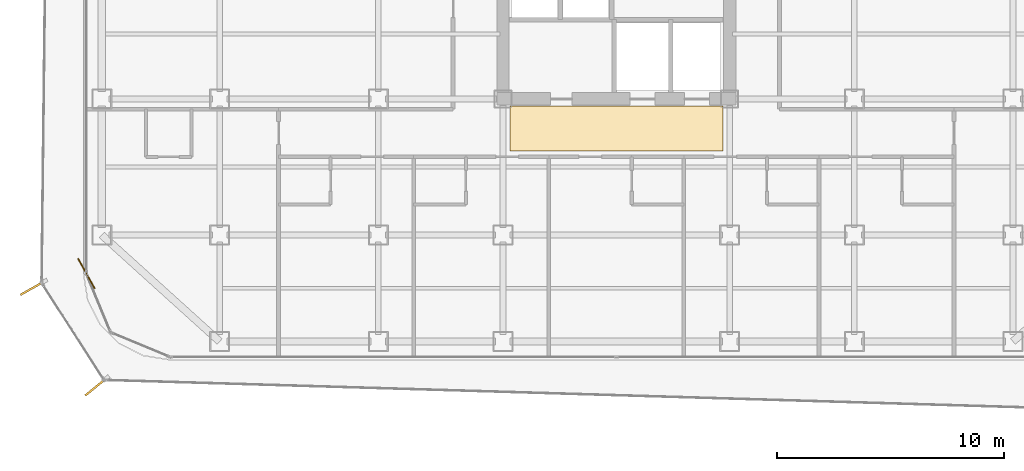
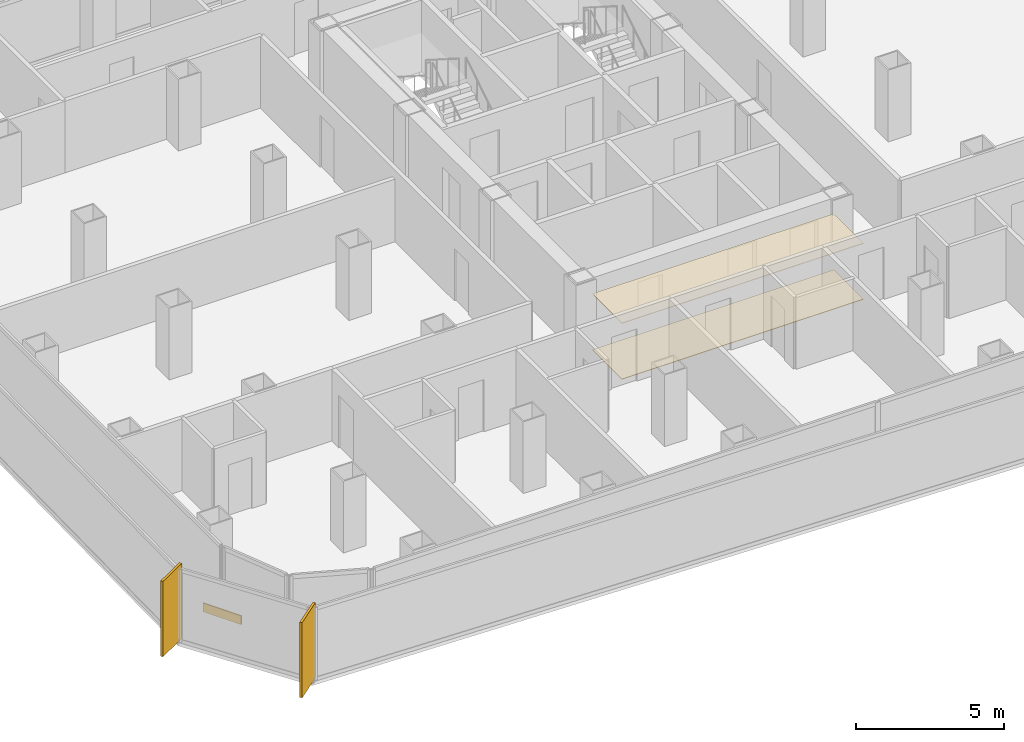
# One storey, part 19 of 21: 3 coverings, 2 shading devices.
"""IFC4 building model written with IfcOpenShell, lengths in metres."""

from ifc_helpers import new_model, si_unit, direction, frame, origin, origin_2d, place, context, subcontext, project, spatial, polyline, rectangle, outline, extrude, source, transform, mapped, material, layer, layer_set, type_object, element, save


model = new_model("IFC4")

# Units and contexts
model_context = context("Model", 3, precision=1e-05, world=origin(), true_north=direction((0.0, 1.0)))
body_context = subcontext(model_context, "Body", "Model", "MODEL_VIEW")
ifc_project = project(units=[si_unit("LENGTHUNIT", "METRE"), si_unit("AREAUNIT", "SQUARE_METRE"), si_unit("VOLUMEUNIT", "CUBIC_METRE"), si_unit("PLANEANGLEUNIT", "RADIAN"), si_unit("MASSUNIT", "GRAM", prefix="KILO")], contexts=[model_context])

# Site, building, storey
site_placement = place(None, origin())
site = spatial("IfcSite", under=ifc_project, at=site_placement, CompositionType="ELEMENT")
building_placement = place(site_placement, origin())
building = spatial("IfcBuilding", under=site, at=building_placement, Name="Kolveth Station Tower", CompositionType="ELEMENT")
storey_placement = place(building_placement, frame((0.0, 0.0, 115.10009765625)))
storey = spatial("IfcBuildingStorey", under=building, at=storey_placement, Name="L31", CompositionType="ELEMENT", Elevation=115.10009765625)

# Coverings
ifc_material_1 = material(Name="Acoustic mineral-fibre ceiling tile")
ifc_layer_1 = layer(ifc_material_1, 0.02490234375)
ifc_layer_set_1 = layer_set([ifc_layer_1], Name="Acoustic mineral-fibre ceiling tile")
covering_type_1 = type_object("IfcCoveringType", Name="Ceil_CL1", PredefinedType="CEILING", material=ifc_layer_set_1)
covering_1_placement = place(storey_placement, frame((0.0, 0.0, 2.2998046875)))
element("IfcCovering", 1, at=covering_1_placement, inside=storey, type_object=covering_type_1, Name="L31 Lift Lobby Suspended Ceiling", PredefinedType="CEILING", context=body_context, shape_type="SweptSolid", body=[
    extrude(outline(polyline([(18.800048828125, 9.199951171875), (28.199951171875, 9.199951171875), (28.199951171875, 11.199951171875), (18.800048828125, 11.199951171875), (18.800048828125, 9.199951171875)])), origin(), (0.0, 0.0, 1.0), 0.025146484375),
])
ifc_material_2 = material(Name="Honed terrazzo flooring")
ifc_layer_2 = layer(ifc_material_2, 0.02001953125)
ifc_layer_set_2 = layer_set([ifc_layer_2], Name="Honed terrazzo flooring")
covering_type_2 = type_object("IfcCoveringType", Name="Floor_FL1", PredefinedType="FLOORING", material=ifc_layer_set_2)
covering_2_placement = place(storey_placement, origin())
element("IfcCovering", 2, at=covering_2_placement, inside=storey, type_object=covering_type_2, Name="L31 Lift Lobby Floor Finish", PredefinedType="FLOORING", context=body_context, shape_type="SweptSolid", body=[
    extrude(outline(polyline([(18.800048828125, 9.199951171875), (28.199951171875, 9.199951171875), (28.199951171875, 11.199951171875), (18.800048828125, 11.199951171875), (18.800048828125, 9.199951171875)])), origin(), (0.0, 0.0, 1.0), 0.02001953125),
])

# Shading devices
ifc_material_3 = material(Name="Black anodized aluminium 6063-T6", Category="aluminium")
shading_device_type = type_object("IfcShadingDeviceType", Name="FIN_VF1", PredefinedType="USERDEFINED", material=ifc_material_3)
shared_shape_1 = source(origin(), body_context, "Body", "SweptSolid", [
    extrude(rectangle(XDim=1.25, YDim=0.090087890625, at=origin_2d()), origin(), (0.0, 0.0, 1.0), 3.10009765625),
])
for number, where, z_axis, x_axis, name in (
    (3, (-2.240966796875, 3.1669921875, -0.000244140625), (0.0, 0.0, 1.0), (-0.871556314255, -0.490295412055, 0.0), "L31 Dark-Aluminium Solar Fin 7"),
    (4, (0.554931640625, -1.18701171875, -0.000244140625), (0.0, 0.0, 1.0), (-0.772955089162, -0.634460739636, 0.0), "L31 Dark-Aluminium Solar Fin 8"),
):
    element("IfcShadingDevice", number, at=place(storey_placement, frame(where, z_axis=z_axis, x_axis=x_axis)), inside=storey, type_object=shading_device_type, Name=name, ObjectType="FIN", PredefinedType="USERDEFINED", context=body_context, shape_type="MappedRepresentation", body=[
        mapped(shared_shape_1, transform((0.0, 0.0, 0.0), x_axis=(1.0, 0.0, 0.0), y_axis=(0.0, 1.0, 0.0), z_axis=(0.0, 0.0, 1.0), scale=1.0)),
    ])

# Covering
ifc_material_4 = material(Name="Charcoal anodized aluminium spandrel cladding", Category="aluminium")
ifc_layer_3 = layer(ifc_material_4, 0.044921875)
ifc_layer_set_3 = layer_set([ifc_layer_3], Name="Charcoal anodized aluminium spandrel cladding")
covering_type_3 = type_object("IfcCoveringType", Name="Clad_CD1", PredefinedType="CLADDING", material=ifc_layer_set_3)
shared_shape_2 = source(origin(), body_context, "Body", "SweptSolid", [
    extrude(rectangle(XDim=1.5, YDim=0.044921875, at=origin_2d()), origin(), (0.0, 0.0, 1.0), 0.360107421875),
])
covering_3_placement = place(storey_placement, frame((0.1201171875, 3.800048828125, 0.0), z_axis=(0.0, 0.0, 1.0), x_axis=(0.490295412055, -0.871556314255, 0.0)))
element("IfcCovering", 5, at=covering_3_placement, inside=storey, type_object=covering_type_3, Name="L31 Spandrel Edge Cladding 7", PredefinedType="CLADDING", context=body_context, shape_type="MappedRepresentation", body=[
    mapped(shared_shape_2, transform((0.0, 0.0, 0.0), x_axis=(1.0, 0.0, 0.0), y_axis=(0.0, 1.0, 0.0), z_axis=(0.0, 0.0, 1.0), scale=1.0)),
])

save(model, "model.ifc")
